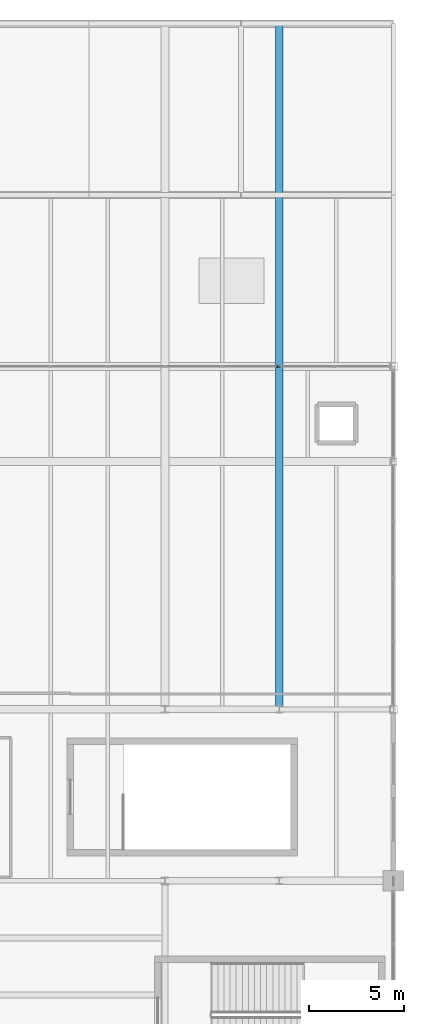
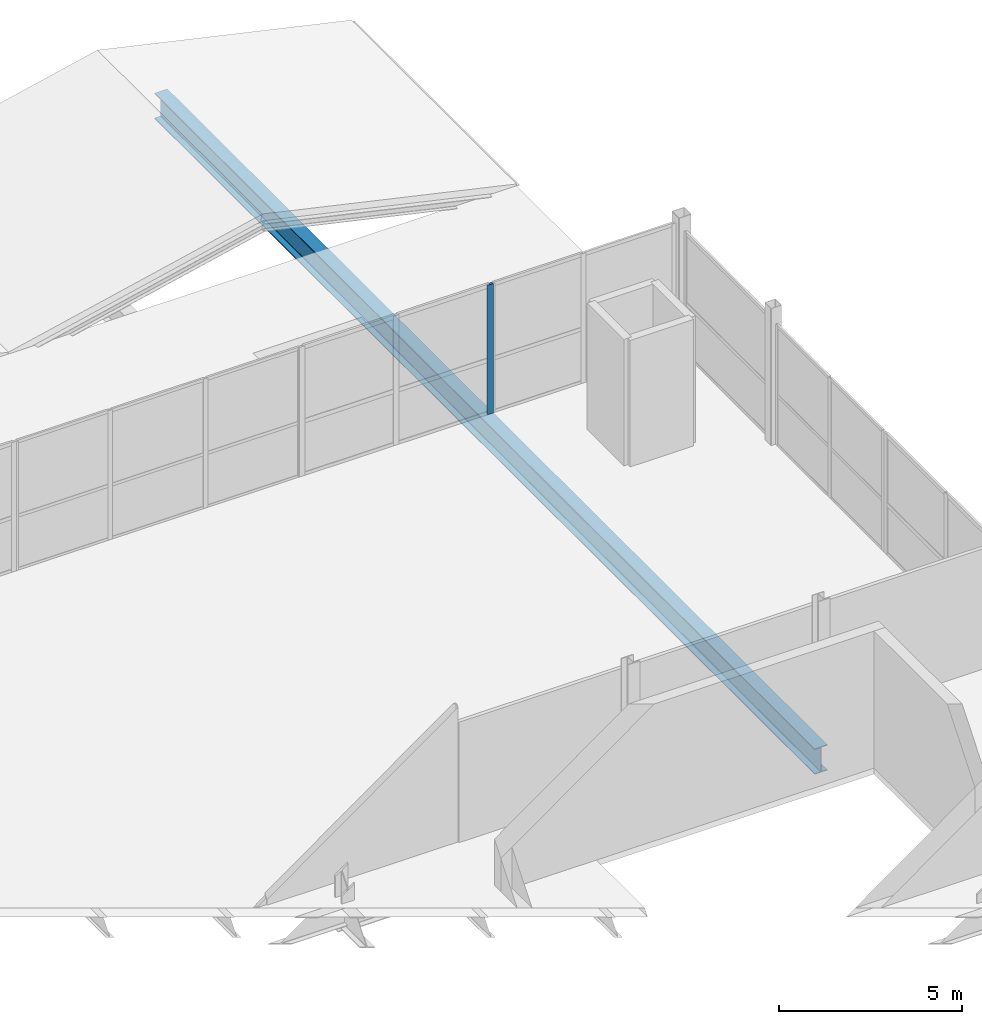
# One storey, part 32 of 50: 1 beam, 1 member, 1 element without a shape of its own.
"""IFC4 building model written with IfcOpenShell, lengths in metres."""

from ifc_helpers import new_model, si_unit, direction, frame, origin, origin_2d, place, context, subcontext, project, spatial, rectangle, i_section, extrude, material, layer, layer_set, material_profile, profile_set, type_object, element, aggregate, save


model = new_model("IFC4")

# Units and contexts
model_context = context("Model", 3, precision=1e-05, world=origin(), true_north=direction((0.0, 1.0)))
body_context = subcontext(model_context, "Body", "Model", "MODEL_VIEW")
ifc_project = project(units=[si_unit("LENGTHUNIT", "METRE"), si_unit("AREAUNIT", "SQUARE_METRE"), si_unit("VOLUMEUNIT", "CUBIC_METRE"), si_unit("PLANEANGLEUNIT", "RADIAN"), si_unit("MASSUNIT", "GRAM", prefix="KILO")], contexts=[model_context])

# Site, building, storey
site_placement = place(None, origin())
site = spatial("IfcSite", under=ifc_project, at=site_placement, CompositionType="ELEMENT")
building_placement = place(site_placement, origin())
building = spatial("IfcBuilding", under=site, at=building_placement, Name="Qamarlyn Nura Convention Centre", CompositionType="ELEMENT")
storey_placement = place(building_placement, frame((0.0, 0.0, 20.39990234375)))
storey = spatial("IfcBuildingStorey", under=building, at=storey_placement, Name="L04", CompositionType="ELEMENT", Elevation=20.39990234375)

# Beam
ifc_material_1 = material(Name="Steel ASTM A992", Category="steel")
ifc_material_profile_1 = material_profile(ifc_material_1, i_section(OverallWidth=0.39990234375, OverallDepth=0.85498046875, WebThickness=0.018310546875, FlangeThickness=0.029296875, FilletRadius=0.02197265625, at=origin_2d()), Name="W840X299")
ifc_profile_set_1 = profile_set([ifc_material_profile_1], Name="Steel ASTM A992")
beam_type = type_object("IfcBeamType", Name="BM-GIRD-840", PredefinedType="BEAM", material=ifc_profile_set_1)
beam_placement = place(storey_placement, frame((186.0, 90.0, -0.62744140625), z_axis=(0.0, 1.0, 0.0), x_axis=(-1.0, 0.0, 0.0)))
element("IfcBeam", 1, at=beam_placement, inside=storey, type_object=beam_type, Name="L04 girder 17 L-Q", PredefinedType="BEAM", context=body_context, shape_type="SweptSolid", body=[
    extrude(i_section(OverallWidth=0.39990234375, OverallDepth=0.85498046875, WebThickness=0.018310546875, FlangeThickness=0.029296875, FilletRadius=0.02197265625, at=origin_2d()), origin(), (0.0, 0.0, 1.0), 36.0),
])

# Curtain wall, member
ifc_material_2 = material(Name="Double-silver low-E insulated glass", Category="glass")
ifc_layer = layer(ifc_material_2, 0.179931640625, Name="CW-UNIT-150")
ifc_layer_set = layer_set([ifc_layer], Name="Double-silver low-E insulated glass")
curtain_wall_type = type_object("IfcCurtainWallType", Name="CW-UNIT-150", PredefinedType="NOTDEFINED", material=ifc_layer_set)
curtain_wall_placement = place(storey_placement, origin())
curtain_wall = element("IfcCurtainWall", 2, at=curtain_wall_placement, inside=storey, type_object=curtain_wall_type, Name="L04 unitised curtain wall DLN-180-1", PredefinedType="NOTDEFINED")
ifc_material_3 = material(Name="Champagne-anodised marine aluminium", Category="aluminium")
ifc_material_profile_2 = material_profile(ifc_material_3, rectangle(XDim=0.070068359375, YDim=0.179931640625, at=origin_2d()), Name="ALU MULLION 70x180")
ifc_profile_set_2 = profile_set([ifc_material_profile_2], Name="Champagne-anodised marine aluminium")
member_type = type_object("IfcMemberType", Name="CWM-180", PredefinedType="MULLION", material=ifc_profile_set_2)
member_placement = place(storey_placement, frame((185.965087890625, 108.0, 0.0), z_axis=(0.0, 0.0, 1.0), x_axis=(0.0, 1.0, 0.0)))
member = element("IfcMember", 3, at=member_placement, type_object=member_type, Name="CW150 mullion 3", PredefinedType="MULLION", context=body_context, shape_type="SweptSolid", body=[
    extrude(rectangle(XDim=0.070068359375, YDim=0.179931640625, at=origin_2d()), origin(), (0.0, 0.0, 1.0), 4.31005859375),
])
aggregate(curtain_wall, [member])

save(model, "model.ifc")
